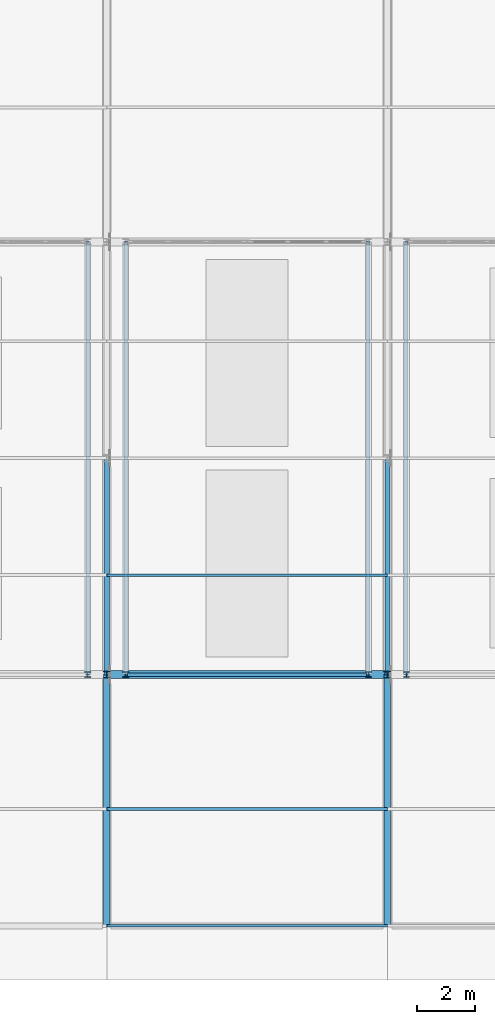
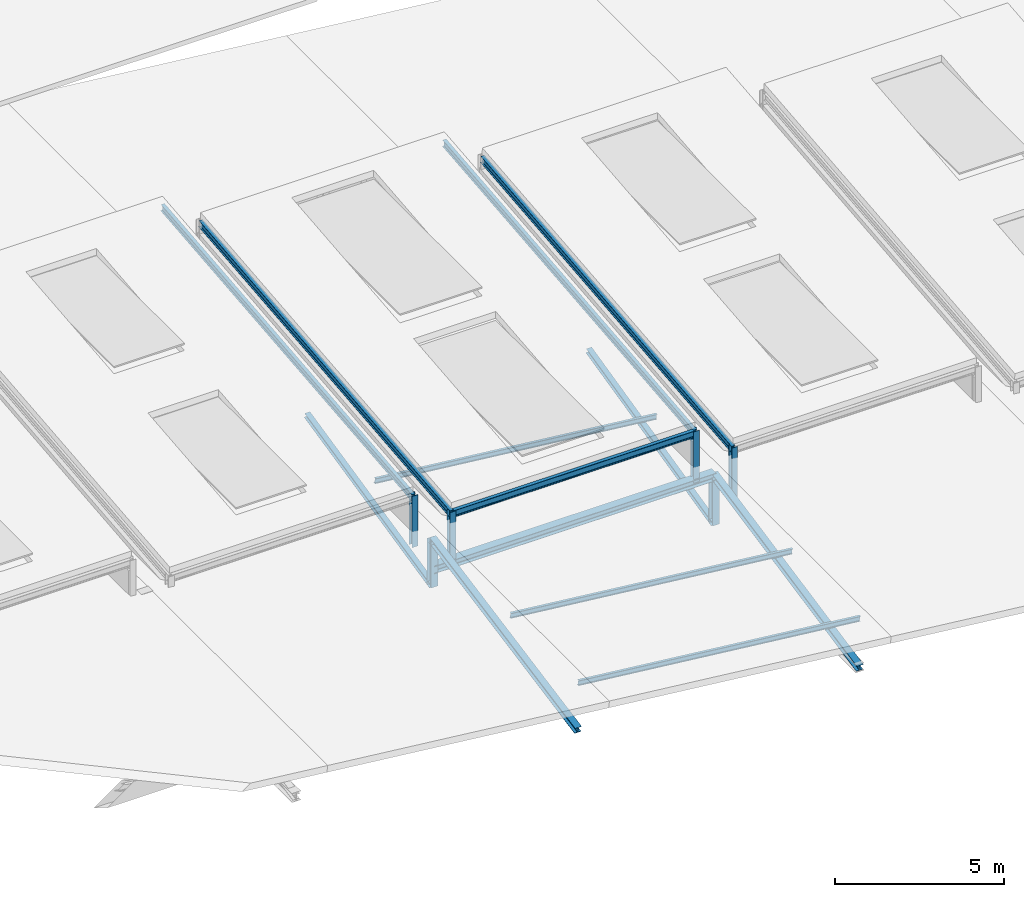
# One storey, part 10 of 30: 13 members, 6 beams.
"""IFC4 building model written with IfcOpenShell, lengths in metres."""

from ifc_helpers import new_model, si_unit, direction, frame, origin, origin_2d, place, context, subcontext, project, spatial, i_section, extrude, material, material_profile, profile_set, type_object, element, save


model = new_model("IFC4")

# Units and contexts
model_context = context("Model", 3, precision=1e-05, world=origin(), true_north=direction((0.0, 1.0)))
body_context = subcontext(model_context, "Body", "Model", "MODEL_VIEW")
ifc_project = project(units=[si_unit("LENGTHUNIT", "METRE"), si_unit("AREAUNIT", "SQUARE_METRE"), si_unit("VOLUMEUNIT", "CUBIC_METRE"), si_unit("PLANEANGLEUNIT", "RADIAN"), si_unit("MASSUNIT", "GRAM", prefix="KILO")], contexts=[model_context])

# Site, building, storey
site_placement = place(None, origin())
site = spatial("IfcSite", under=ifc_project, at=site_placement, CompositionType="ELEMENT")
building_placement = place(site_placement, origin())
building = spatial("IfcBuilding", under=site, at=building_placement, Name="Alderhovde Museum", CompositionType="ELEMENT")
storey_placement = place(building_placement, frame((0.0, 0.0, 30.699951171875)))
storey = spatial("IfcBuildingStorey", under=building, at=storey_placement, Name="RF", CompositionType="ELEMENT", Elevation=30.699951171875)

# Beams
ifc_material_1 = material(Name="Steel S355J2", Category="steel")
ifc_material_profile_1 = material_profile(ifc_material_1, i_section(OverallWidth=0.280029296875, OverallDepth=0.27001953125, WebThickness=0.008056640625, FlangeThickness=0.012939453125, FilletRadius=0.02392578125, at=origin_2d()), Name="HEA 280")
ifc_profile_set_1 = profile_set([ifc_material_profile_1], Name="Steel S355J2")
beam_type_1 = type_object("IfcBeamType", Name="BM-HEA280", PredefinedType="BEAM", material=ifc_profile_set_1)
beam_1_placement = place(storey_placement, frame((38.39990234375, 56.60009765625, -4.885009765625), z_axis=(1.0, 0.0, 0.0), x_axis=(0.0, 1.0, 0.0)))
element("IfcBeam", 1, at=beam_1_placement, inside=storey, type_object=beam_type_1, Name="Sawtooth Monitor Stringer Bay 4-S", PredefinedType="BEAM", context=body_context, shape_type="SweptSolid", body=[
    extrude(i_section(OverallWidth=0.280029296875, OverallDepth=0.27001953125, WebThickness=0.008056640625, FlangeThickness=0.012939453125, FilletRadius=0.02392578125, at=origin_2d()), origin(), (0.0, 0.0, 1.0), 9.60009765625),
])
ifc_material_2 = material(Name="Steel S355J2", Category="steel")
ifc_material_profile_2 = material_profile(ifc_material_2, i_section(OverallWidth=0.1201171875, OverallDepth=0.239990234375, WebThickness=0.006103515625, FlangeThickness=0.009765625, FilletRadius=0.014892578125, at=origin_2d()), Name="IPE 240")
ifc_profile_set_2 = profile_set([ifc_material_profile_2], Name="Steel S355J2")
beam_type_2 = type_object("IfcBeamType", Name="BM-IPE240", PredefinedType="BEAM", material=ifc_profile_set_2)
beam_2_placement = place(storey_placement, frame((37.75, 56.60009765625, -2.1181640625), z_axis=(0.0, 0.99503719021, 0.099503719021), x_axis=(-1.0, 0.0, 0.0)))
element("IfcBeam", 2, at=beam_2_placement, inside=storey, type_object=beam_type_2, Name="Sawtooth Monitor Wedge Rafter Bay 3-E", PredefinedType="BEAM", context=body_context, shape_type="SweptSolid", body=[
    extrude(i_section(OverallWidth=0.1201171875, OverallDepth=0.239990234375, WebThickness=0.006103515625, FlangeThickness=0.009765625, FilletRadius=0.014892578125, at=origin_2d()), origin(), (0.0, 0.0, 1.0), 14.87353515625),
])
beam_3_placement = place(storey_placement, frame((39.110107421875, 56.60009765625, -3.15673828125), z_axis=(1.0, 0.0, 0.0), x_axis=(0.0, 1.0, 0.0)))
element("IfcBeam", 3, at=beam_3_placement, inside=storey, type_object=beam_type_2, Name="Sawtooth Monitor Wedge Rafter Bay 4-S", PredefinedType="BEAM", context=body_context, shape_type="SweptSolid", body=[
    extrude(i_section(OverallWidth=0.1201171875, OverallDepth=0.239990234375, WebThickness=0.006103515625, FlangeThickness=0.009765625, FilletRadius=0.014892578125, at=origin_2d()), origin(), (0.0, 0.0, 1.0), 8.179931640625),
])
for number, where, z_axis, x_axis, name in (
    (4, (39.050048828125, 56.60009765625, -3.15673828125), (0.0, 0.99503719021, 0.099503719021), (-1.0, 0.0, 0.0), "Sawtooth Monitor Wedge Rafter Bay 4-W"),
    (5, (47.35009765625, 56.60009765625, -3.15673828125), (0.0, 0.99503719021, 0.099503719021), (-1.0, 0.0, 0.0), "Sawtooth Monitor Wedge Rafter Bay 4-E"),
    (6, (48.64990234375, 56.60009765625, -4.195068359375), (0.0, 0.995035564898, 0.099519970801), (-1.0, 0.0, 0.0), "Sawtooth Monitor Wedge Rafter Bay 5-W"),
):
    element("IfcBeam", number, at=place(storey_placement, frame(where, z_axis=z_axis, x_axis=x_axis)), inside=storey, type_object=beam_type_2, Name=name, PredefinedType="BEAM", context=body_context, shape_type="SweptSolid", body=[
        extrude(i_section(OverallWidth=0.1201171875, OverallDepth=0.239990234375, WebThickness=0.006103515625, FlangeThickness=0.009765625, FilletRadius=0.014892578125, at=origin_2d()), origin(), (0.0, 0.0, 1.0), 14.87353515625),
    ])

# Members
ifc_material_3 = material(Name="Steel S355J2", Category="steel")
ifc_material_profile_3 = material_profile(ifc_material_3, i_section(OverallWidth=0.091064453125, OverallDepth=0.179931640625, WebThickness=0.00537109375, FlangeThickness=0.008056640625, FilletRadius=0.009033203125, at=origin_2d()), Name="IPE 180")
ifc_profile_set_3 = profile_set([ifc_material_profile_3], Name="Steel S355J2")
member_type_1 = type_object("IfcMemberType", Name="PRL-IPE180", PredefinedType="PURLIN", material=ifc_profile_set_3)
for number, where, z_axis, x_axis, name in (
    (7, (38.39990234375, 48.0, -3.806640625), (0.994201715794, 0.0, -0.107531150432), (0.0, 1.0, 0.0), "Folded Wing Roof Purlin Bay 4 Y=48"),
    (8, (38.39990234375, 52.0, -3.806640625), (0.994201715794, 0.0, -0.107531150432), (0.0, 1.0, 0.0), "Folded Wing Roof Purlin Bay 4 Y=52"),
    (9, (38.39990234375, 60.0, -3.806640625), (0.994201715794, 0.0, -0.107531150432), (0.0, 1.0, 0.0), "Folded Wing Roof Purlin Bay 4 Y=60"),
):
    element("IfcMember", number, at=place(storey_placement, frame(where, z_axis=z_axis, x_axis=x_axis)), inside=storey, type_object=member_type_1, Name=name, PredefinedType="PURLIN", context=body_context, shape_type="SweptSolid", body=[
        extrude(i_section(OverallWidth=0.091064453125, OverallDepth=0.179931640625, WebThickness=0.00537109375, FlangeThickness=0.008056640625, FilletRadius=0.009033203125, at=origin_2d()), origin(), (0.0, 0.0, 1.0), 9.656005859375),
    ])
ifc_material_4 = material(Name="Steel S355J2", Category="steel")
ifc_material_profile_4 = material_profile(ifc_material_4, i_section(OverallWidth=0.179931640625, OverallDepth=0.1708984375, WebThickness=0.006103515625, FlangeThickness=0.009521484375, FilletRadius=0.014892578125, at=origin_2d()), Name="HEA 180")
ifc_profile_set_4 = profile_set([ifc_material_profile_4], Name="Steel S355J2")
member_type_2 = type_object("IfcMemberType", Name="TR-DG-HEA180", PredefinedType="RAFTER", material=ifc_profile_set_4)
member_1_placement = place(storey_placement, frame((38.39990234375, 56.60009765625, -5.510009765625), z_axis=(0.0, 0.975656265936, 0.219305382376), x_axis=(-1.0, 0.0, 0.0)))
element("IfcMember", 10, at=member_1_placement, inside=storey, type_object=member_type_2, Name="Sawtooth Roof Truss X=38.4 Web Diagonal 2", PredefinedType="RAFTER", context=body_context, shape_type="SweptSolid", body=[
    extrude(i_section(OverallWidth=0.179931640625, OverallDepth=0.1708984375, WebThickness=0.006103515625, FlangeThickness=0.009521484375, FilletRadius=0.014892578125, at=origin_2d()), origin(), (0.0, 0.0, 1.0), 7.58447265625),
])
member_2_placement = place(storey_placement, frame((48.0, 56.60009765625, -6.635009765625), z_axis=(0.0, 0.973157163281, 0.230141555473), x_axis=(-1.0, 0.0, 0.0)))
element("IfcMember", 11, at=member_2_placement, inside=storey, type_object=member_type_2, Name="Sawtooth Roof Truss X=48.0 Web Diagonal 2", PredefinedType="RAFTER", context=body_context, shape_type="SweptSolid", body=[
    extrude(i_section(OverallWidth=0.179931640625, OverallDepth=0.1708984375, WebThickness=0.006103515625, FlangeThickness=0.009521484375, FilletRadius=0.014892578125, at=origin_2d()), origin(), (0.0, 0.0, 1.0), 7.60400390625),
])
ifc_material_5 = material(Name="Steel S355J2", Category="steel")
ifc_material_profile_5 = material_profile(ifc_material_5, i_section(OverallWidth=0.219970703125, OverallDepth=0.2099609375, WebThickness=0.007080078125, FlangeThickness=0.010986328125, FilletRadius=0.01806640625, at=origin_2d()), Name="HEA 220")
ifc_profile_set_5 = profile_set([ifc_material_profile_5], Name="Steel S355J2")
member_type_3 = type_object("IfcMemberType", Name="TR-DG-HEA220", PredefinedType="RAFTER", material=ifc_profile_set_5)
member_3_placement = place(storey_placement, frame((38.39990234375, 48.0, -5.510009765625), z_axis=(0.0, 0.981805504769, 0.189889311985), x_axis=(-1.0, 0.0, 0.0)))
element("IfcMember", 12, at=member_3_placement, inside=storey, type_object=member_type_3, Name="Sawtooth Roof Truss X=38.4 Web Diagonal 1", PredefinedType="RAFTER", context=body_context, shape_type="SweptSolid", body=[
    extrude(i_section(OverallWidth=0.219970703125, OverallDepth=0.2099609375, WebThickness=0.007080078125, FlangeThickness=0.010986328125, FilletRadius=0.01806640625, at=origin_2d()), origin(), (0.0, 0.0, 1.0), 8.759521484375),
])
member_4_placement = place(storey_placement, frame((48.0, 48.0, -6.635009765625), z_axis=(0.0, 0.97991824063, 0.199399703311), x_axis=(-1.0, 0.0, 0.0)))
element("IfcMember", 13, at=member_4_placement, inside=storey, type_object=member_type_3, Name="Sawtooth Roof Truss X=48.0 Web Diagonal 1", PredefinedType="RAFTER", context=body_context, shape_type="SweptSolid", body=[
    extrude(i_section(OverallWidth=0.219970703125, OverallDepth=0.2099609375, WebThickness=0.007080078125, FlangeThickness=0.010986328125, FilletRadius=0.01806640625, at=origin_2d()), origin(), (0.0, 0.0, 1.0), 8.7763671875),
])
ifc_material_6 = material(Name="Steel S355J2", Category="steel")
ifc_material_profile_6 = material_profile(ifc_material_6, i_section(OverallWidth=0.199951171875, OverallDepth=0.18994140625, WebThickness=0.006591796875, FlangeThickness=0.010009765625, FilletRadius=0.01806640625, at=origin_2d()), Name="HEA 200")
ifc_profile_set_6 = profile_set([ifc_material_profile_6], Name="Steel S355J2")
member_type_4 = type_object("IfcMemberType", Name="TR-PS-HEA200", PredefinedType="POST", material=ifc_profile_set_6)
for number, where, z_axis, x_axis, name in (
    (14, (37.75, 56.60009765625, -3.8466796875), (0.0, 0.0, 1.0), (1.0, 0.0, 0.0), "Sawtooth Monitor Post Bay 3-2"),
    (15, (39.050048828125, 56.60009765625, -4.885009765625), (0.0, 0.0, 1.0), (1.0, 0.0, 0.0), "Sawtooth Monitor Post Bay 4-1"),
    (16, (47.35009765625, 56.60009765625, -4.885009765625), (0.0, 0.0, 1.0), (1.0, 0.0, 0.0), "Sawtooth Monitor Post Bay 4-2"),
    (17, (48.64990234375, 56.60009765625, -5.92333984375), (0.0, 0.0, 1.0), (1.0, 0.0, 0.0), "Sawtooth Monitor Post Bay 5-1"),
):
    element("IfcMember", number, at=place(storey_placement, frame(where, z_axis=z_axis, x_axis=x_axis)), inside=storey, type_object=member_type_4, Name=name, PredefinedType="POST", context=body_context, shape_type="SweptSolid", body=[
        extrude(i_section(OverallWidth=0.199951171875, OverallDepth=0.18994140625, WebThickness=0.006591796875, FlangeThickness=0.010009765625, FilletRadius=0.01806640625, at=origin_2d()), origin(), (0.0, 0.0, 1.0), 1.848388671875),
    ])
ifc_material_7 = material(Name="Steel S355J2", Category="steel")
ifc_material_profile_7 = material_profile(ifc_material_7, i_section(OverallWidth=0.239990234375, OverallDepth=0.22998046875, WebThickness=0.007568359375, FlangeThickness=0.011962890625, FilletRadius=0.02099609375, at=origin_2d()), Name="HEA 240")
ifc_profile_set_7 = profile_set([ifc_material_profile_7], Name="Steel S355J2")
member_type_5 = type_object("IfcMemberType", Name="TR-PS-HEA240", PredefinedType="POST", material=ifc_profile_set_7)
member_5_placement = place(storey_placement, frame((38.39990234375, 56.60009765625, -5.510009765625), z_axis=(0.0, 0.0, 1.0), x_axis=(1.0, 0.0, 0.0)))
element("IfcMember", 18, at=member_5_placement, inside=storey, type_object=member_type_5, Name="Sawtooth Roof Truss X=38.4 Web Post 1", PredefinedType="POST", context=body_context, shape_type="SweptSolid", body=[
    extrude(i_section(OverallWidth=0.239990234375, OverallDepth=0.22998046875, WebThickness=0.007568359375, FlangeThickness=0.011962890625, FilletRadius=0.02099609375, at=origin_2d()), origin(), (0.0, 0.0, 1.0), 1.663330078125),
])
member_6_placement = place(storey_placement, frame((48.0, 56.60009765625, -6.635009765625), z_axis=(0.0, 0.0, 1.0), x_axis=(1.0, 0.0, 0.0)))
element("IfcMember", 19, at=member_6_placement, inside=storey, type_object=member_type_5, Name="Sawtooth Roof Truss X=48.0 Web Post 1", PredefinedType="POST", context=body_context, shape_type="SweptSolid", body=[
    extrude(i_section(OverallWidth=0.239990234375, OverallDepth=0.22998046875, WebThickness=0.007568359375, FlangeThickness=0.011962890625, FilletRadius=0.02099609375, at=origin_2d()), origin(), (0.0, 0.0, 1.0), 1.75),
])

save(model, "model.ifc")
